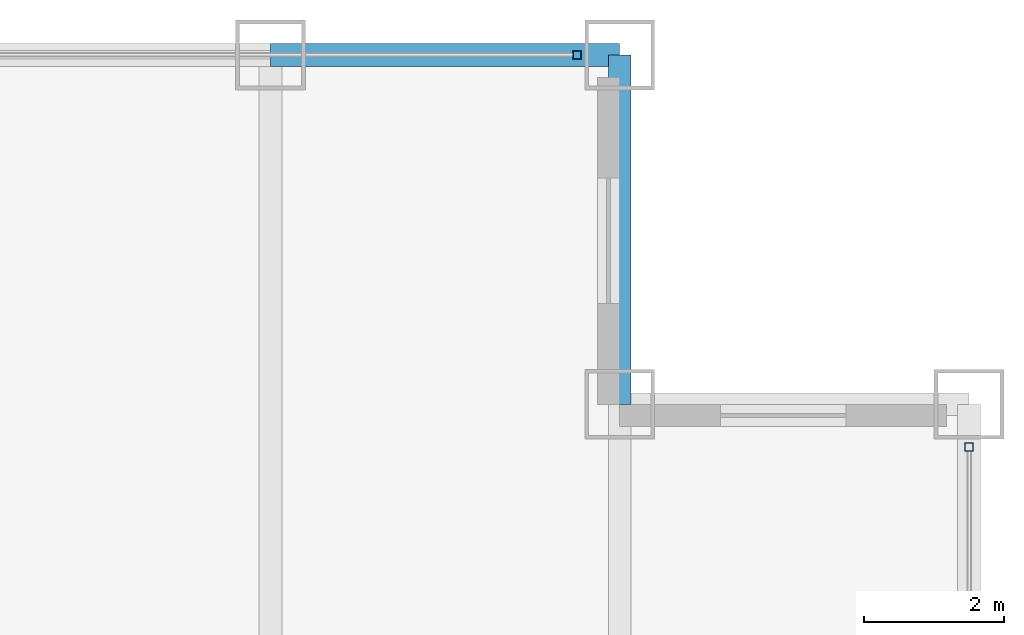
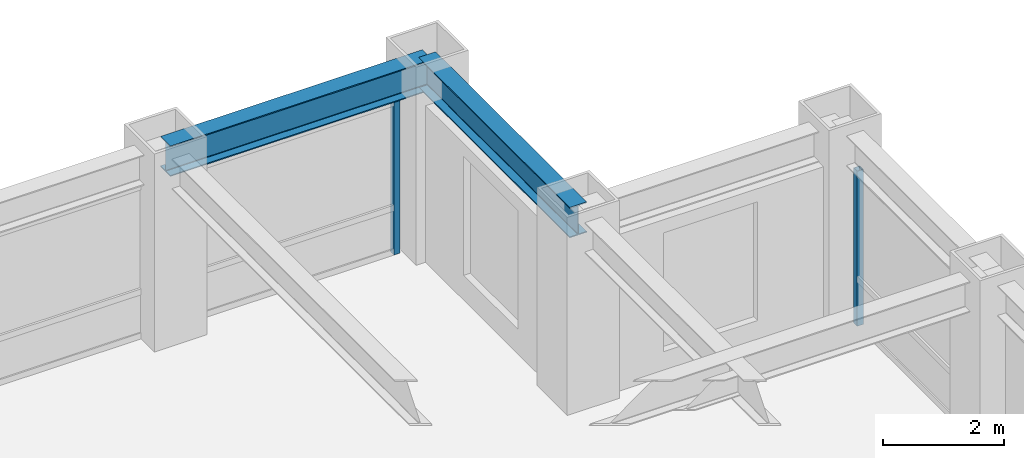
# One storey, part 18 of 24: 2 beams, 2 members, 2 elements without a shape of their own.
"""IFC4 building model written with IfcOpenShell, lengths in metres."""

from ifc_helpers import new_model, si_unit, direction, frame, origin, origin_2d, place, context, subcontext, project, spatial, hollow_rectangle, i_section, extrude, source, transform, mapped, material, material_profile, profile_set, type_object, element, aggregate, save


model = new_model("IFC4")

# Units and contexts
model_context = context("Model", 3, precision=1e-05, world=origin(), true_north=direction((0.0, 1.0)))
body_context = subcontext(model_context, "Body", "Model", "MODEL_VIEW")
ifc_project = project(units=[si_unit("LENGTHUNIT", "METRE"), si_unit("AREAUNIT", "SQUARE_METRE"), si_unit("VOLUMEUNIT", "CUBIC_METRE"), si_unit("PLANEANGLEUNIT", "RADIAN"), si_unit("MASSUNIT", "GRAM", prefix="KILO")], contexts=[model_context])

# Site, building, storey
site_placement = place(None, origin())
site = spatial("IfcSite", under=ifc_project, at=site_placement, CompositionType="ELEMENT")
building_placement = place(site_placement, origin())
building = spatial("IfcBuilding", under=site, at=building_placement, Name="Khorayat Bourse Tower", CompositionType="ELEMENT")
storey_placement = place(building_placement, frame((0.0, 0.0, 211.10009765625)))
storey = spatial("IfcBuildingStorey", under=building, at=storey_placement, Name="L49", CompositionType="ELEMENT", Elevation=211.10009765625)

# Beams
ifc_material_1 = material(Name="Steel ASTM A992 Grade 50", Category="steel")
ifc_material_profile_1 = material_profile(ifc_material_1, i_section(OverallWidth=0.324951171875, OverallDepth=0.615966796875, WebThickness=0.013916015625, FlangeThickness=0.021484375, FilletRadius=0.01611328125, at=origin_2d()), Name="W610X174")
ifc_profile_set_1 = profile_set([ifc_material_profile_1], Name="Steel ASTM A992 Grade 50")
beam_type = type_object("IfcBeamType", Name="BM-SPAN-610", PredefinedType="SPANDREL", material=ifc_profile_set_1)
shared_shape_1 = source(origin(), body_context, "Body", "SweptSolid", [
    extrude(i_section(OverallWidth=0.324951171875, OverallDepth=0.615966796875, WebThickness=0.013916015625, FlangeThickness=0.021484375, FilletRadius=0.01611328125, at=origin_2d()), origin(), (0.0, 0.0, 1.0), 5.0),
])
for number, where, z_axis, x_axis, name in (
    (1, (25.0, 25.0, 3.471923828125), (0.0, 1.0, 0.0), (-1.0, 0.0, 0.0), "L49 BM-SPAN-610 BM-L49-SPN-043"),
    (2, (20.0, 30.0, 3.471923828125), (1.0, 0.0, 0.0), (0.0, 1.0, 0.0), "L49 BM-SPAN-610 BM-L49-SPN-044"),
):
    element("IfcBeam", number, at=place(storey_placement, frame(where, z_axis=z_axis, x_axis=x_axis)), inside=storey, type_object=beam_type, Name=name, PredefinedType="SPANDREL", context=body_context, shape_type="MappedRepresentation", body=[
        mapped(shared_shape_1, transform((0.0, 0.0, 0.0), scale=1.0)),
    ])

# Curtain wall, member
ifc_material_2 = material(Name="Aluminium EN AW-6063 T6", Category="aluminium")
curtain_wall_type = type_object("IfcCurtainWallType", Name="CW-SYS-03", PredefinedType="NOTDEFINED", material=ifc_material_2)
curtain_wall_1_placement = place(storey_placement, origin())
curtain_wall_1 = element("IfcCurtainWall", 3, at=curtain_wall_1_placement, inside=storey, type_object=curtain_wall_type, Name="L49 Curtain Wall CW-L49-N1", PredefinedType="NOTDEFINED")
ifc_material_profile_2 = material_profile(ifc_material_2, hollow_rectangle(XDim=0.1201171875, YDim=0.1201171875, WallThickness=0.0048828125, at=origin_2d()), Name="ALU 120x120x5")
ifc_profile_set_2 = profile_set([ifc_material_profile_2], Name="Aluminium EN AW-6063 T6")
member_type = type_object("IfcMemberType", Name="CWM-VERT-120", PredefinedType="MULLION", material=ifc_profile_set_2)
shared_shape_2 = source(origin(), body_context, "Body", "SweptSolid", [
    extrude(hollow_rectangle(XDim=0.1201171875, YDim=0.1201171875, WallThickness=0.0048828125, at=origin_2d()), origin(), (0.0, 0.0, 1.0), 3.1298828125),
])
member_1_placement = place(storey_placement, frame((24.389892578125, 30.0, 0.0), z_axis=(0.0, 0.0, 1.0), x_axis=(0.0, 1.0, 0.0)))
member_1 = element("IfcMember", 4, at=member_1_placement, type_object=member_type, Name="CW-L49-N1 Vertical Mullion 3", PredefinedType="MULLION", context=body_context, shape_type="MappedRepresentation", body=[
    mapped(shared_shape_2, transform((0.0, 0.0, 0.0), scale=1.0)),
])
aggregate(curtain_wall_1, [member_1])

curtain_wall_2_placement = place(storey_placement, origin())
curtain_wall_2 = element("IfcCurtainWall", 5, at=curtain_wall_2_placement, inside=storey, type_object=curtain_wall_type, Name="L49 Curtain Wall CW-L49-E1", PredefinedType="NOTDEFINED")
member_2_placement = place(storey_placement, frame((30.0, 24.389892578125, 0.0), z_axis=(0.0, 0.0, 1.0), x_axis=(-1.0, 0.0, 0.0)))
member_2 = element("IfcMember", 6, at=member_2_placement, type_object=member_type, Name="CW-L49-E1 Vertical Mullion 3", PredefinedType="MULLION", context=body_context, shape_type="MappedRepresentation", body=[
    mapped(shared_shape_2, transform((0.0, 0.0, 0.0), scale=1.0)),
])
aggregate(curtain_wall_2, [member_2])

save(model, "model.ifc")
